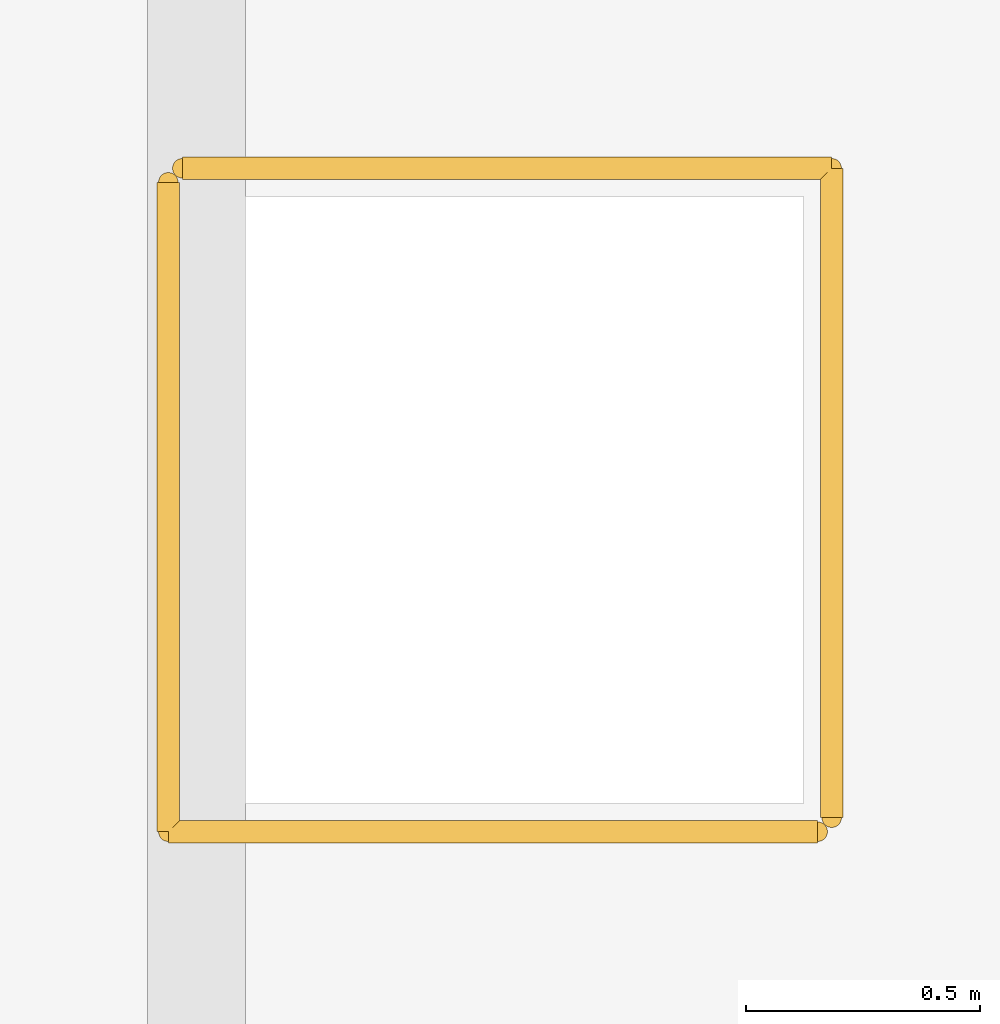
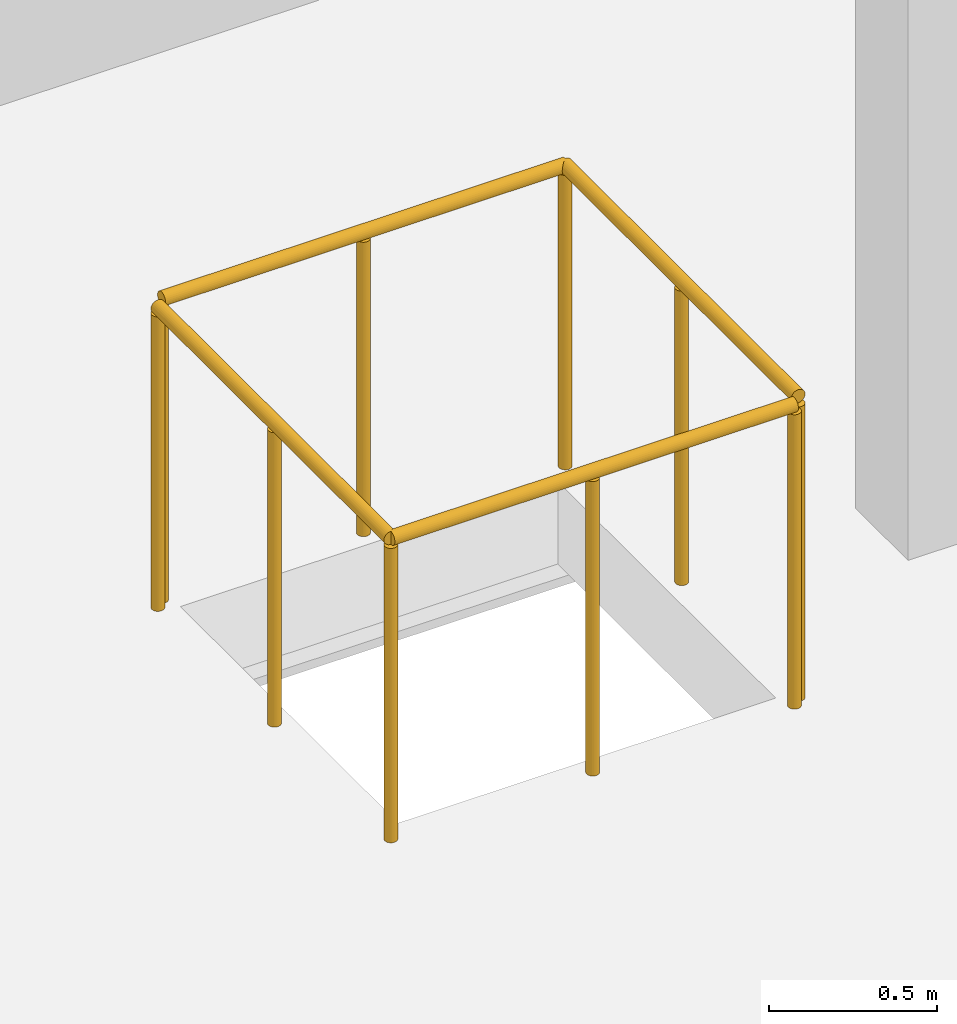
# One storey, part 104 of 107: 2 railings.
"""IFC4 building model written with IfcOpenShell, lengths in metres."""

from ifc_helpers import new_model, si_unit, direction, frame, origin, origin_2d, place, context, subcontext, project, spatial, circle, extrude, material, type_object, element, save


model = new_model("IFC4")

# Units and contexts
model_context = context("Model", 3, precision=1e-05, world=origin(), true_north=direction((0.0, 1.0)))
body_context = subcontext(model_context, "Body", "Model", "MODEL_VIEW")
ifc_project = project(units=[si_unit("LENGTHUNIT", "METRE"), si_unit("AREAUNIT", "SQUARE_METRE"), si_unit("VOLUMEUNIT", "CUBIC_METRE"), si_unit("PLANEANGLEUNIT", "RADIAN"), si_unit("MASSUNIT", "GRAM", prefix="KILO")], contexts=[model_context])

# Site, building, storey
site_placement = place(None, origin())
site = spatial("IfcSite", under=ifc_project, at=site_placement, CompositionType="ELEMENT")
building_placement = place(site_placement, origin())
building = spatial("IfcBuilding", under=site, at=building_placement, Name="Solvento Point Concert Hall", CompositionType="ELEMENT")
storey_placement = place(building_placement, origin())
storey = spatial("IfcBuildingStorey", under=building, at=storey_placement, Name="L00", CompositionType="ELEMENT", Elevation=0.0)

# Railings
ifc_material = material(Name="Brushed Stainless Steel Balustrade", Category="steel")
railing_type = type_object("IfcRailingType", Name="TerraceBalustrade_1100", PredefinedType="BALUSTRADE", material=ifc_material)
railing_1_placement = place(storey_placement, frame((170.93994140625, 126.330078125, 0.0)))
element("IfcRailing", 1, at=railing_1_placement, inside=storey, type_object=railing_type, Name="Guard balustrade GR-01 L00", PredefinedType="BALUSTRADE", context=body_context, shape_type="SweptSolid", body=[
    extrude(circle(Radius=0.02392578125, at=origin_2d()), frame((0.0, 0.0, 1.09619140625), z_axis=(0.0, -1.0, 0.0), x_axis=(1.0, 0.0, 0.0)), (0.0, 0.0, 1.0), 1.39013671875),
    extrude(circle(Radius=0.02392578125, at=origin_2d()), frame((0.0, -1.39013671875, 1.09619140625), z_axis=(1.0, 0.0, 0.0), x_axis=(0.0, 1.0, 0.0)), (0.0, 0.0, 1.0), 1.39013671875),
    extrude(circle(Radius=0.02099609375, at=origin_2d()), origin(), (0.0, 0.0, 1.0), 1.072021484375),
    extrude(circle(Radius=0.02099609375, at=origin_2d()), frame((0.0, -0.695068359375, 0.0)), (0.0, 0.0, 1.0), 1.072021484375),
    extrude(circle(Radius=0.02099609375, at=origin_2d()), frame((0.0, -1.39013671875, 0.0)), (0.0, 0.0, 1.0), 1.072021484375),
    extrude(circle(Radius=0.02099609375, at=origin_2d()), frame((0.695068359375, -1.39013671875, 0.0)), (0.0, 0.0, 1.0), 1.072021484375),
    extrude(circle(Radius=0.02099609375, at=origin_2d()), frame((1.39013671875, -1.39013671875, 0.0)), (0.0, 0.0, 1.0), 1.072021484375),
])
railing_2_placement = place(storey_placement, frame((172.360107421875, 124.969970703125, 0.0)))
element("IfcRailing", 2, at=railing_2_placement, inside=storey, type_object=railing_type, Name="Guard balustrade GR-01 L00", PredefinedType="BALUSTRADE", context=body_context, shape_type="SweptSolid", body=[
    extrude(circle(Radius=0.02392578125, at=origin_2d()), frame((0.0, 0.0, 1.09619140625), z_axis=(0.0, 1.0, 0.0), x_axis=(-1.0, 0.0, 0.0)), (0.0, 0.0, 1.0), 1.39013671875),
    extrude(circle(Radius=0.02392578125, at=origin_2d()), frame((0.0, 1.39013671875, 1.09619140625), z_axis=(-1.0, 0.0, 0.0), x_axis=(0.0, -1.0, 0.0)), (0.0, 0.0, 1.0), 1.39013671875),
    extrude(circle(Radius=0.02099609375, at=origin_2d()), origin(), (0.0, 0.0, 1.0), 1.072021484375),
    extrude(circle(Radius=0.02099609375, at=origin_2d()), frame((0.0, 0.695068359375, 0.0)), (0.0, 0.0, 1.0), 1.072021484375),
    extrude(circle(Radius=0.02099609375, at=origin_2d()), frame((0.0, 1.39013671875, 0.0)), (0.0, 0.0, 1.0), 1.072021484375),
    extrude(circle(Radius=0.02099609375, at=origin_2d()), frame((-0.695068359375, 1.39013671875, 0.0)), (0.0, 0.0, 1.0), 1.072021484375),
    extrude(circle(Radius=0.02099609375, at=origin_2d()), frame((-1.39013671875, 1.39013671875, 0.0)), (0.0, 0.0, 1.0), 1.072021484375),
])

save(model, "model.ifc")
